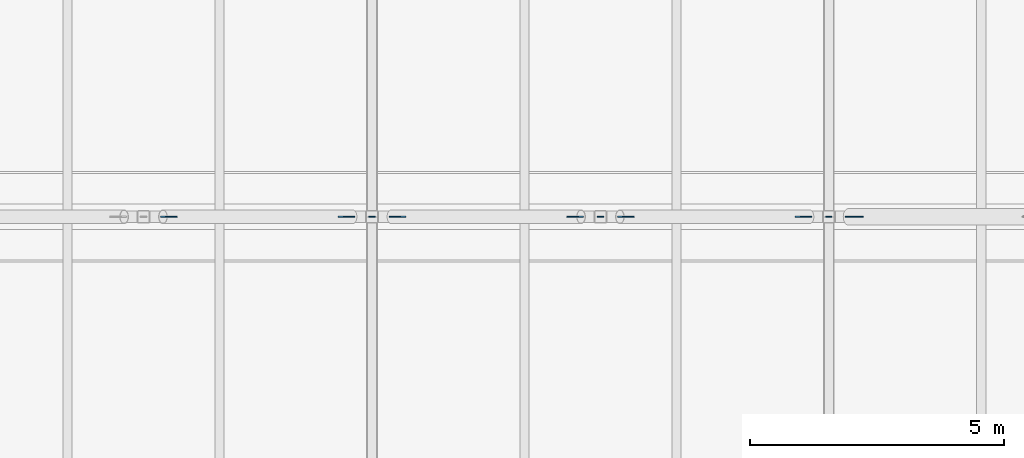
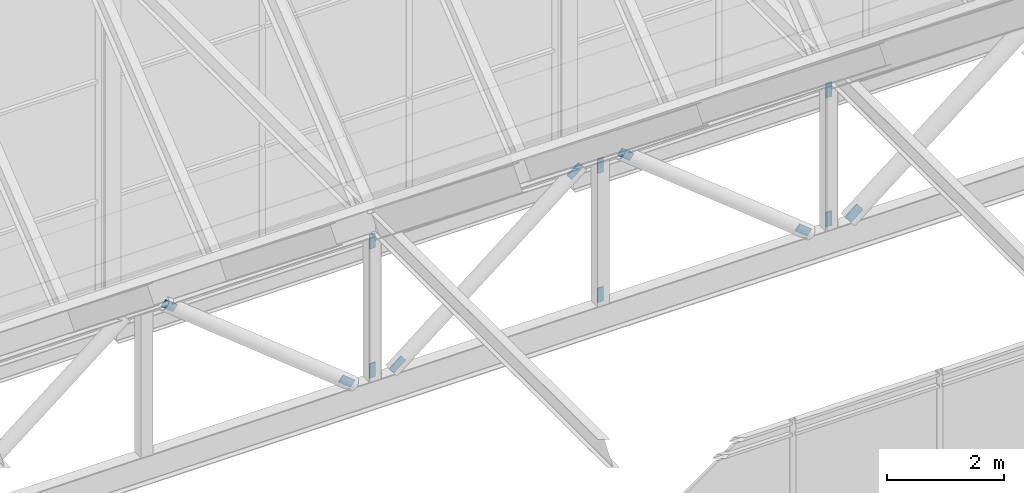
# One storey, part 137 of 144: 13 discrete accessories.
"""IFC4 building model written with IfcOpenShell, lengths in metres."""

from ifc_helpers import new_model, si_unit, direction, frame, origin, place, context, subcontext, project, spatial, polyline, outline, extrude, material, layer, layer_set, type_object, element, save


model = new_model("IFC4")

# Units and contexts
model_context = context("Model", 3, precision=1e-05, world=origin(), true_north=direction((0.0, 1.0)))
body_context = subcontext(model_context, "Body", "Model", "MODEL_VIEW")
ifc_project = project(units=[si_unit("LENGTHUNIT", "METRE"), si_unit("AREAUNIT", "SQUARE_METRE"), si_unit("VOLUMEUNIT", "CUBIC_METRE"), si_unit("PLANEANGLEUNIT", "RADIAN"), si_unit("MASSUNIT", "GRAM", prefix="KILO")], contexts=[model_context])

# Site, building, storey
site_placement = place(None, origin())
site = spatial("IfcSite", under=ifc_project, at=site_placement, CompositionType="ELEMENT")
building_placement = place(site_placement, origin())
building = spatial("IfcBuilding", under=site, at=building_placement, Name="Shorebreak Coast Museum", CompositionType="ELEMENT")
storey_placement = place(building_placement, frame((0.0, 0.0, 36.0)))
storey = spatial("IfcBuildingStorey", under=building, at=storey_placement, Name="L06", CompositionType="ELEMENT", Elevation=36.0)

# Discrete accessories
ifc_material_1 = material(Name="Steel Grade 300", Category="steel")
ifc_layer_1 = layer(ifc_material_1, 0.02001953125)
ifc_layer_set_1 = layer_set([ifc_layer_1], Name="Steel Grade 300")
discrete_accessory_type_1 = type_object("IfcDiscreteAccessoryType", Name="Gusset plate 120 x 300 x 20", PredefinedType="BRACKET", material=ifc_layer_set_1)
for number, where, z_axis, x_axis, name in (
    (1, (89.93994140625, 71.989990234375, 4.235595703125), (0.0, -1.0, 0.0), (1.0, 0.0, 0.0), "Gusset plate Atrium roof truss TA3 strut V06 end 1"),
    (2, (89.93994140625, 71.989990234375, 6.923583984375), (0.0, -1.0, 0.0), (1.0, 0.0, 0.0), "Gusset plate Atrium roof truss TA3 strut V06 end 2"),
    (3, (94.43994140625, 71.989990234375, 4.235595703125), (0.0, -1.0, 0.0), (1.0, 0.0, 0.0), "Gusset plate Atrium roof truss TA3 strut V07 end 1"),
    (4, (94.43994140625, 71.989990234375, 6.923583984375), (0.0, -1.0, 0.0), (1.0, 0.0, 0.0), "Gusset plate Atrium roof truss TA3 strut V07 end 2"),
    (5, (98.93994140625, 71.989990234375, 4.235595703125), (0.0, -1.0, 0.0), (1.0, 0.0, 0.0), "Gusset plate Atrium roof truss TA3 strut V08 end 1"),
    (6, (98.93994140625, 71.989990234375, 6.923583984375), (0.0, -1.0, 0.0), (1.0, 0.0, 0.0), "Gusset plate Atrium roof truss TA3 strut V08 end 2"),
):
    element("IfcDiscreteAccessory", number, at=place(storey_placement, frame(where, z_axis=z_axis, x_axis=x_axis)), inside=storey, type_object=discrete_accessory_type_1, Name=name, PredefinedType="BRACKET", context=body_context, shape_type="SweptSolid", body=[
        extrude(outline(polyline([(0.0, 0.0), (0.1201171875, 0.0), (0.1201171875, 0.2998046875), (0.0, 0.2998046875), (0.0, 0.0)])), origin(), (0.0, 0.0, -1.0), 0.02001953125),
    ])
ifc_material_2 = material(Name="Steel Grade 300", Category="steel")
ifc_layer_2 = layer(ifc_material_2, 0.02001953125)
ifc_layer_set_2 = layer_set([ifc_layer_2], Name="Steel Grade 300")
discrete_accessory_type_2 = type_object("IfcDiscreteAccessoryType", Name="Gusset plate 150 x 300 x 20", PredefinedType="BRACKET", material=ifc_layer_set_2)
for number, where, z_axis, x_axis, name in (
    (7, (89.570556640625, 71.989990234375, 4.177001953125), (0.0, -1.0, 0.0), (0.624695047554, 0.0, 0.780868809443), "Gusset plate Atrium roof truss TA3 diagonal D06 end 1"),
    (8, (86.06982421875, 71.989990234375, 6.9775390625), (0.0, -1.0, 0.0), (0.624695047554, 0.0, 0.780868809443), "Gusset plate Atrium roof truss TA3 diagonal D06 end 2"),
):
    element("IfcDiscreteAccessory", number, at=place(storey_placement, frame(where, z_axis=z_axis, x_axis=x_axis)), inside=storey, type_object=discrete_accessory_type_2, Name=name, PredefinedType="BRACKET", context=body_context, shape_type="SweptSolid", body=[
        extrude(outline(polyline([(0.0, 0.0), (0.1500732243148324, 0.0), (0.1500350959549963, 0.29980329339114004), (-3.812835983607599e-05, 0.29980329339114004), (0.0, 0.0)])), origin(), (0.0, 0.0, -1.0), 0.02001953125),
    ])
for number, where, z_axis, x_axis, name in (
    (9, (90.335693359375, 71.989990234375, 4.294189453125), (0.0, -1.0, 0.0), (0.624695047554, 0.0, -0.780868809443), "Gusset plate Atrium roof truss TA3 diagonal D07 end 1"),
    (10, (93.83642578125, 71.989990234375, 7.0947265625), (0.0, -1.0, 0.0), (0.624695047554, 0.0, -0.780868809443), "Gusset plate Atrium roof truss TA3 diagonal D07 end 2"),
):
    element("IfcDiscreteAccessory", number, at=place(storey_placement, frame(where, z_axis=z_axis, x_axis=x_axis)), inside=storey, type_object=discrete_accessory_type_2, Name=name, PredefinedType="BRACKET", context=body_context, shape_type="SweptSolid", body=[
        extrude(outline(polyline([(0.0, 0.0), (0.1500732243148324, 0.0), (0.1501113526746685, 0.29980329339114004), (3.812835983607599e-05, 0.29980329339114004), (0.0, 0.0)])), origin(), (0.0, 0.0, -1.0), 0.02001953125),
    ])
for number, where, z_axis, x_axis, name in (
    (11, (98.570556640625, 71.989990234375, 4.177001953125), (0.0, -1.0, 0.0), (0.624695047554, 0.0, 0.780868809443), "Gusset plate Atrium roof truss TA3 diagonal D08 end 1"),
    (12, (95.06982421875, 71.989990234375, 6.9775390625), (0.0, -1.0, 0.0), (0.624695047554, 0.0, 0.780868809443), "Gusset plate Atrium roof truss TA3 diagonal D08 end 2"),
):
    element("IfcDiscreteAccessory", number, at=place(storey_placement, frame(where, z_axis=z_axis, x_axis=x_axis)), inside=storey, type_object=discrete_accessory_type_2, Name=name, PredefinedType="BRACKET", context=body_context, shape_type="SweptSolid", body=[
        extrude(outline(polyline([(0.0, 0.0), (0.1500732243148324, 0.0), (0.1500350959549963, 0.29980329339114004), (-3.812835983607599e-05, 0.29980329339114004), (0.0, 0.0)])), origin(), (0.0, 0.0, -1.0), 0.02001953125),
    ])
ifc_material_3 = material(Name="Steel Grade 300", Category="steel")
ifc_layer_3 = layer(ifc_material_3, 0.02001953125)
ifc_layer_set_3 = layer_set([ifc_layer_3], Name="Steel Grade 300")
discrete_accessory_type_3 = type_object("IfcDiscreteAccessoryType", Name="Gusset plate 200 x 300 x 20", PredefinedType="BRACKET", material=ifc_layer_set_3)
discrete_accessory_placement = place(storey_placement, frame((99.320068359375, 71.989990234375, 4.313720703125), z_axis=(0.0, -1.0, 0.0), x_axis=(0.624695047554, 0.0, -0.780868809443)))
element("IfcDiscreteAccessory", 13, at=discrete_accessory_placement, inside=storey, type_object=discrete_accessory_type_3, Name="Gusset plate Atrium roof truss TA3 diagonal D09 end 1", PredefinedType="BRACKET", context=body_context, shape_type="SweptSolid", body=[
    extrude(outline(polyline([(0.0, 0.0), (0.20009763241977652, 0.0), (0.20013576077961262, 0.29980329339114004), (3.812835983607599e-05, 0.29980329339114004), (0.0, 0.0)])), origin(), (0.0, 0.0, -1.0), 0.02001953125),
])

save(model, "model.ifc")
